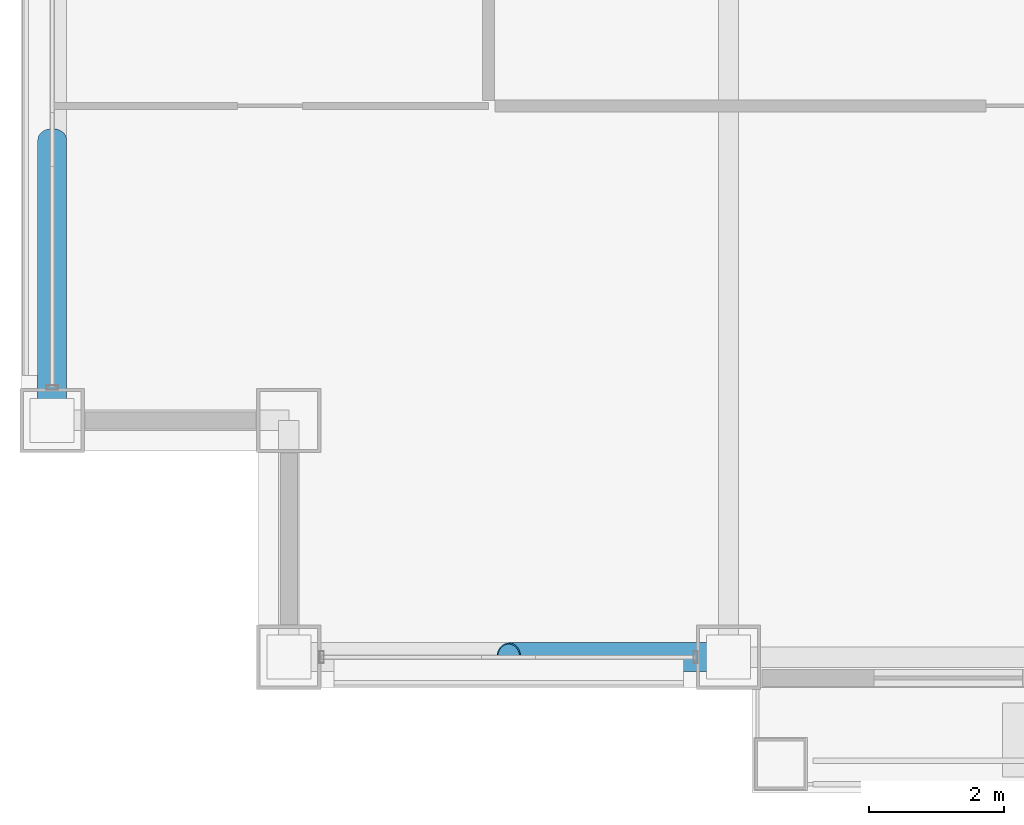
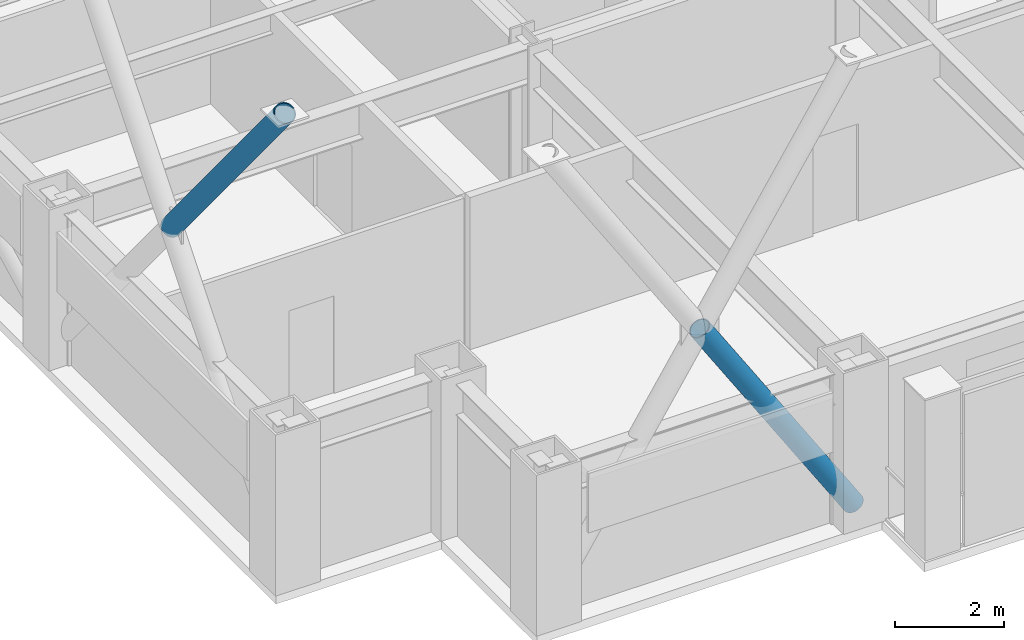
# One storey, part 3 of 33: 2 members.
"""IFC4 building model written with IfcOpenShell, lengths in metres."""

import ifcopenshell
import ifcopenshell.guid

model = None  # the IFC model being written
_history = None  # IfcOwnerHistory: only IFC2X3 demands one
_inside = {}  # id of a spatial element -> (the spatial element, [elements in it])
_under = {}  # id of a project, library or spatial element -> (it, [spatial elements below it])
_declared = {}  # id of a project -> (the project, [libraries it declares])
_typed = {}  # id of a type object -> (the type object, [elements of that type])
_made_of = {}  # id of a material, layer set ... -> (it, [elements and type objects made of it])


def new_model(schema):
    """Start an empty IFC model of exactly this schema.

    Asked for "IFC4X3", IfcOpenShell would pick the latest addendum, in which some entities
    have other attributes; the version numbers below select the first issue.
    IFC2X3 requires an IfcOwnerHistory on every rooted entity: one is made here for all.
    """
    global model, _history
    if schema == "IFC4X3":
        model = ifcopenshell.file(schema_version=(4, 3, 0, 0))
    else:
        model = ifcopenshell.file(schema=schema)
    _inside.clear()
    _under.clear()
    _declared.clear()
    _typed.clear()
    _made_of.clear()
    _history = None
    if model.schema == "IFC2X3":
        org = make("IfcOrganization", Name="unknown")
        user = make(
            "IfcPersonAndOrganization",
            ThePerson=make("IfcPerson", FamilyName="unknown"),
            TheOrganization=org,
        )
        app = make(
            "IfcApplication",
            ApplicationDeveloper=org,
            Version="unknown",
            ApplicationFullName="unknown",
            ApplicationIdentifier="unknown",
        )
        _history = make(
            "IfcOwnerHistory",
            OwningUser=user,
            OwningApplication=app,
            ChangeAction="ADDED",
            CreationDate=0,
        )
    return model


def make(cls, **values):
    """One entity of the class cls with the attributes given. An attribute that is None is left unset."""
    return model.create_entity(
        cls, **{name: value for name, value in values.items() if value is not None}
    )


def rooted(cls, **values):
    """An entity with a GlobalId (a new one), such as an element, a storey or a relation."""
    return make(cls, GlobalId=ifcopenshell.guid.new(), OwnerHistory=_history, **values)


def si_unit(unit_type, name, prefix=None):
    """IfcSIUnit, for example si_unit("LENGTHUNIT", "METRE", prefix="MILLI")."""
    return make("IfcSIUnit", UnitType=unit_type, Prefix=prefix, Name=name)


def assignment(units):
    """IfcUnitAssignment: the units of a project."""
    return None if units is None else make("IfcUnitAssignment", Units=units)


def point(xyz):
    """IfcCartesianPoint."""
    return None if xyz is None else make("IfcCartesianPoint", Coordinates=xyz)


def direction(xyz):
    """IfcDirection."""
    return None if xyz is None else make("IfcDirection", DirectionRatios=xyz)


def frame(location, z_axis=None, x_axis=None):
    """IfcAxis2Placement3D, a coordinate frame: its origin and axes. An axis left out is left unset."""
    return make(
        "IfcAxis2Placement3D",
        Location=point(location),
        Axis=direction(z_axis),
        RefDirection=direction(x_axis),
    )


def frame_2d(location, x_axis=None):
    """IfcAxis2Placement2D, a coordinate frame in the plane: its origin and x axis."""
    return make(
        "IfcAxis2Placement2D", Location=point(location), RefDirection=direction(x_axis)
    )


def origin():
    """The frame at (0, 0, 0) with its axes left unset."""
    return frame((0.0, 0.0, 0.0))


def origin_2d():
    """The frame at (0, 0) in the plane with its x axis left unset."""
    return frame_2d((0.0, 0.0))


def place(relative_to, where):
    """IfcLocalPlacement: puts the frame where relative to a parent placement (None: the world)."""
    return make(
        "IfcLocalPlacement", PlacementRelTo=relative_to, RelativePlacement=where
    )


def context(
    kind, dimensions, precision=None, world=None, true_north=None, identifier=None
):
    """IfcGeometricRepresentationContext, for example the 3D "Model" context."""
    return make(
        "IfcGeometricRepresentationContext",
        ContextIdentifier=identifier,
        ContextType=kind,
        CoordinateSpaceDimension=dimensions,
        Precision=precision,
        WorldCoordinateSystem=world,
        TrueNorth=true_north,
    )


def subcontext(parent, identifier, kind, view, scale=None):
    """IfcGeometricRepresentationSubContext, for example "Body" below "Model"."""
    return make(
        "IfcGeometricRepresentationSubContext",
        ContextIdentifier=identifier,
        ContextType=kind,
        ParentContext=parent,
        TargetScale=scale,
        TargetView=view,
    )


def project(units=None, contexts=None):
    """IfcProject with its units and contexts."""
    return rooted(
        "IfcProject",
        Name="project",
        RepresentationContexts=contexts,
        UnitsInContext=assignment(units),
    )


def spatial(cls, under=None, at=None, **own):
    """A site, building, storey or space (cls), placed at a placement, below another one or the project."""
    s = rooted(cls, ObjectPlacement=at, **own)
    if under is not None:
        _under.setdefault(under.id(), (under, []))[1].append(s)
    return s


def profile(cls, at=None, kind="AREA", **sizes):
    """A parametric profile (cls). Its sizes go by their IFC names, for example OverallWidth=200.0."""
    return make(cls, ProfileType=kind, Position=at, **sizes)


def hollow_circle(**sizes):
    """IfcCircleHollowProfileDef."""
    return profile("IfcCircleHollowProfileDef", **sizes)


def extrude(swept, where, along, depth):
    """IfcExtrudedAreaSolid: the profile swept, set in the frame where, extruded along a direction by depth."""
    return make(
        "IfcExtrudedAreaSolid",
        SweptArea=swept,
        Position=where,
        ExtrudedDirection=direction(along),
        Depth=depth,
    )


def shape(context_of_items, identifier, shape_type, items):
    """IfcShapeRepresentation: the items that make up one representation, for example the "Body"."""
    return make(
        "IfcShapeRepresentation",
        ContextOfItems=context_of_items,
        RepresentationIdentifier=identifier,
        RepresentationType=shape_type,
        Items=items,
    )


def material(Name=None, Category=None):
    """IfcMaterial."""
    return make("IfcMaterial", Name=Name, Category=Category)


def material_profile(
    of_material, cross_section, Name=None, Category=None, Priority=None
):
    """IfcMaterialProfile: a cross section and its material."""
    return make(
        "IfcMaterialProfile",
        Name=Name,
        Material=of_material,
        Profile=cross_section,
        Priority=Priority,
        Category=Category,
    )


def profile_set(profiles, Name=None, composite=None):
    """IfcMaterialProfileSet."""
    return make(
        "IfcMaterialProfileSet",
        Name=Name,
        MaterialProfiles=profiles,
        CompositeProfile=composite,
    )


def made_of(thing, what):
    """Note that an element or type object is made of a material, layer set ...; save() writes the relation."""
    if what is not None:
        _made_of.setdefault(what.id(), (what, []))[1].append(thing)
    return thing


def type_object(cls, material=None, **own):
    """A type object (cls), such as IfcWallType, which elements share."""
    return made_of(rooted(cls, **own), material)


def element(
    cls,
    number,
    at=None,
    inside=None,
    cuts=None,
    type_object=None,
    material=None,
    context=None,
    identifier="Body",
    shape_type=None,
    held_by="IfcProductDefinitionShape",
    body=None,
    shapes=None,
    **own,
):
    """One element of the class cls, such as IfcWall. Its Tag is "e" and its number.

    at: its placement. inside: the storey or other place that contains it. cuts: it is an
    opening in that element (IfcRelVoidsElement). A single representation is given by context,
    identifier, shape_type and body (its items); several are given by shapes. held_by: the class
    of the entity that holds the representations. save() writes the other relations.
    """
    e = rooted(cls, Tag="e%d" % number, ObjectPlacement=at, **own)
    if body is not None:
        shapes = [shape(context, identifier, shape_type, body)]
    if shapes is not None:
        e.Representation = make(held_by, Representations=shapes)
    if inside is not None:
        _inside.setdefault(inside.id(), (inside, []))[1].append(e)
    if cuts is not None:
        rooted(
            "IfcRelVoidsElement", RelatingBuildingElement=cuts, RelatedOpeningElement=e
        )
    if type_object is not None:
        _typed.setdefault(type_object.id(), (type_object, []))[1].append(e)
    return made_of(e, material)


def aggregate(whole, parts):
    """IfcRelAggregates: a whole, such as a stair, and the parts it consists of."""
    return rooted("IfcRelAggregates", RelatingObject=whole, RelatedObjects=parts)


def save(model, path):
    """Write the relations noted so far, then the file.

    IfcRelAggregates (storeys below a building ...), IfcRelContainedInSpatialStructure (elements
    in a storey), IfcRelDefinesByType, IfcRelAssociatesMaterial and IfcRelDeclares: one each for
    every whole, place, type object, material and project.
    """
    for whole, parts in _under.values():
        aggregate(whole, parts)
    for where, things in _inside.values():
        rooted(
            "IfcRelContainedInSpatialStructure",
            RelatedElements=things,
            RelatingStructure=where,
        )
    for kind, things in _typed.values():
        rooted("IfcRelDefinesByType", RelatedObjects=things, RelatingType=kind)
    for what, things in _made_of.values():
        rooted("IfcRelAssociatesMaterial", RelatedObjects=things, RelatingMaterial=what)
    for by, libraries in _declared.values():
        rooted("IfcRelDeclares", RelatingContext=by, RelatedDefinitions=libraries)
    model.write(path)


model = new_model("IFC4")

# Units and contexts
model_context = context("Model", 3, precision=1e-05, world=origin(), true_north=direction((0.0, 1.0)))
body_context = subcontext(model_context, "Body", "Model", "MODEL_VIEW")
ifc_project = project(units=[si_unit("LENGTHUNIT", "METRE"), si_unit("AREAUNIT", "SQUARE_METRE"), si_unit("VOLUMEUNIT", "CUBIC_METRE"), si_unit("PLANEANGLEUNIT", "RADIAN"), si_unit("MASSUNIT", "GRAM", prefix="KILO")], contexts=[model_context])

# Site, building, storey
site_placement = place(None, origin())
site = spatial("IfcSite", under=ifc_project, at=site_placement, CompositionType="ELEMENT")
building_placement = place(site_placement, origin())
building = spatial("IfcBuilding", under=site, at=building_placement, Name="Brelmoor Portico Tower", CompositionType="ELEMENT")
storey_placement = place(building_placement, frame((0.0, 0.0, 34.800048828125)))
storey = spatial("IfcBuildingStorey", under=building, at=storey_placement, Name="L08", CompositionType="ELEMENT", Elevation=34.800048828125)

# Members
ifc_material = material(Name="Steel Q355B", Category="steel")
ifc_material_profile = material_profile(ifc_material, hollow_circle(Radius=0.212890625, WallThickness=0.02001953125, at=origin_2d()), Name="CHS 426x20")
ifc_profile_set = profile_set([ifc_material_profile], Name="Steel Q355B")
member_type = type_object("IfcMemberType", Name="MB-BELT-DIAG1", PredefinedType="BRACE", material=ifc_profile_set)
member_1_placement = place(storey_placement, frame((-14.550048828125, -21.550048828125, 0.25), z_axis=(-0.541174623135, 0.0, 0.840910237347), x_axis=(0.0, -1.0, 0.0)))
element("IfcMember", 1, at=member_1_placement, inside=storey, type_object=member_type, Name="L08 Split Mega-X Brace 009B1", PredefinedType="BRACE", context=body_context, shape_type="SweptSolid", body=[
    extrude(hollow_circle(Radius=0.212890625, WallThickness=0.02001953125, at=origin_2d()), origin(), (0.0, 0.0, 1.0), 6.00537109375),
])
member_2_placement = place(storey_placement, frame((-24.550048828125, -13.89990234375, 5.300048828125), z_axis=(0.0, -0.634930568509, 0.772569202838), x_axis=(1.0, 0.0, 0.0)))
element("IfcMember", 2, at=member_2_placement, inside=storey, type_object=member_type, Name="L08 Split Mega-X Brace 013B2", PredefinedType="BRACE", context=body_context, shape_type="SweptSolid", body=[
    extrude(hollow_circle(Radius=0.212890625, WallThickness=0.02001953125, at=origin_2d()), origin(), (0.0, 0.0, 1.0), 6.536376953125),
])

save(model, "model.ifc")
